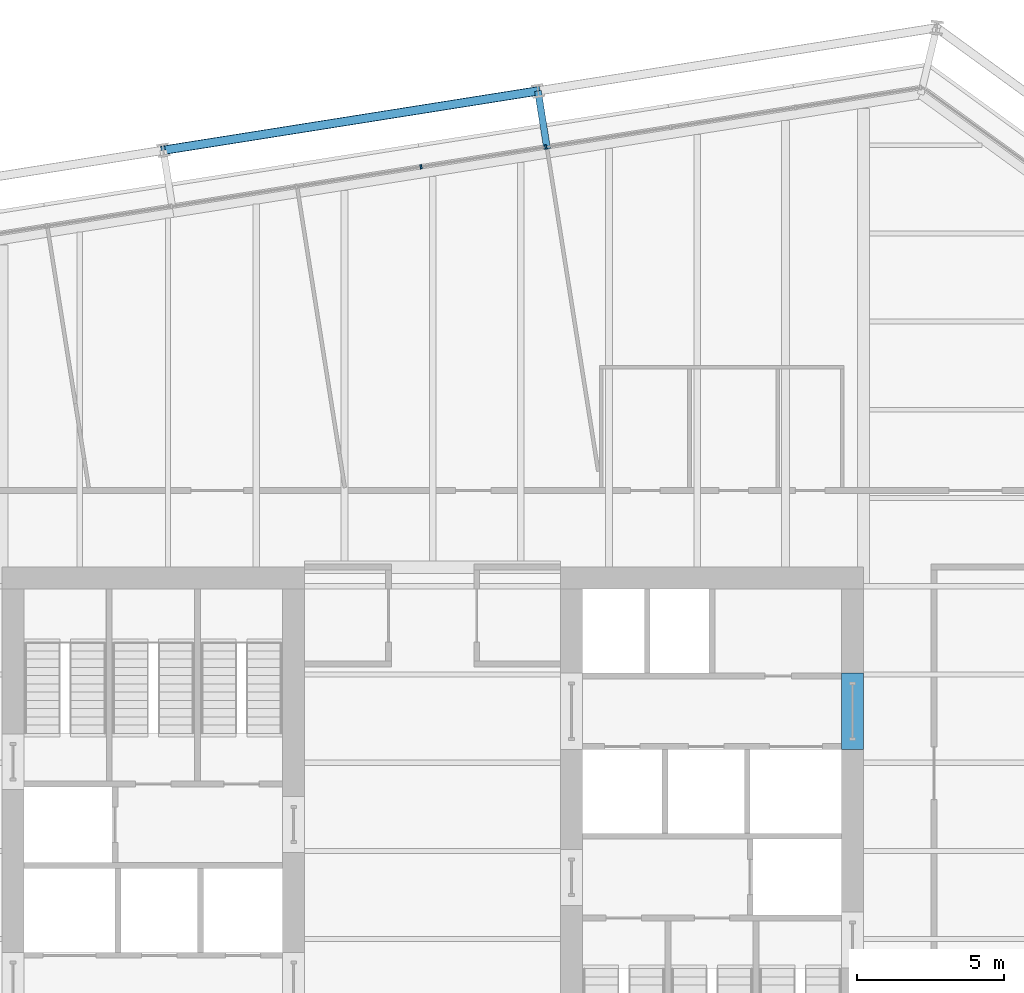
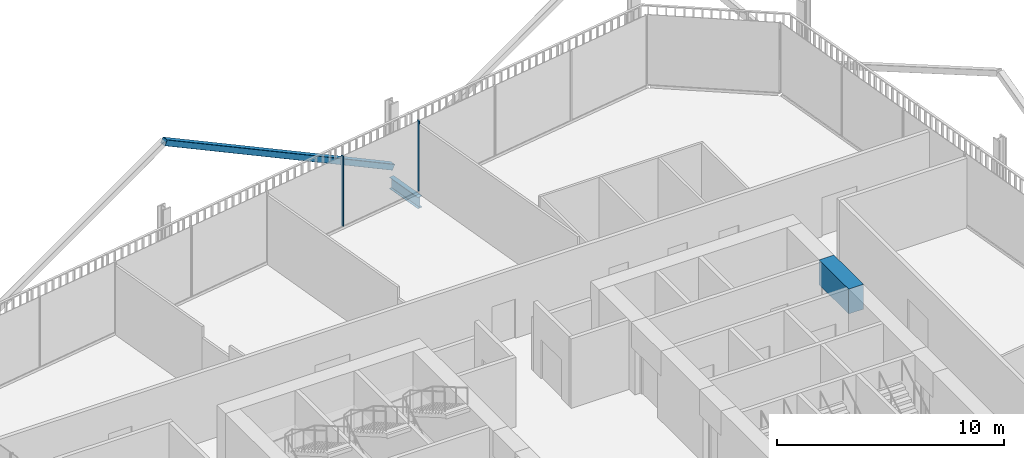
# One storey, part 13 of 22: 3 members, 2 beams, 1 element without a shape of its own.
"""IFC4 building model written with IfcOpenShell, lengths in metres."""

from ifc_helpers import new_model, si_unit, direction, frame, origin, origin_2d, place, context, subcontext, project, spatial, rectangle, hollow_rectangle, i_section, extrude, material, layer, layer_set, material_profile, profile_set, type_object, element, aggregate, save


model = new_model("IFC4")

# Units and contexts
model_context = context("Model", 3, precision=1e-05, world=origin(), true_north=direction((0.0, 1.0)))
body_context = subcontext(model_context, "Body", "Model", "MODEL_VIEW")
ifc_project = project(units=[si_unit("LENGTHUNIT", "METRE"), si_unit("AREAUNIT", "SQUARE_METRE"), si_unit("VOLUMEUNIT", "CUBIC_METRE"), si_unit("PLANEANGLEUNIT", "RADIAN"), si_unit("MASSUNIT", "GRAM", prefix="KILO")], contexts=[model_context])

# Site, building, storey
site_placement = place(None, origin())
site = spatial("IfcSite", under=ifc_project, at=site_placement, CompositionType="ELEMENT")
building_placement = place(site_placement, origin())
building = spatial("IfcBuilding", under=site, at=building_placement, Name="Millrace Tower", CompositionType="ELEMENT")
storey_placement = place(building_placement, frame((0.0, 0.0, 160.699951171875)))
storey = spatial("IfcBuildingStorey", under=building, at=storey_placement, Name="L36", CompositionType="ELEMENT", Elevation=160.699951171875)

# Curtain wall, members
ifc_material_1 = material(Name="Aluminium and glass", Category="aluminium")
ifc_layer = layer(ifc_material_1, 0.14990234375)
ifc_layer_set = layer_set([ifc_layer], Name="Aluminium and glass")
curtain_wall_type = type_object("IfcCurtainWallType", Name="CW-1 office vision curtain wall", PredefinedType="NOTDEFINED", material=ifc_layer_set)
curtain_wall_placement = place(storey_placement, origin())
curtain_wall = element("IfcCurtainWall", 1, at=curtain_wall_placement, inside=storey, type_object=curtain_wall_type, Name="Curtain wall C-F06 L36", PredefinedType="NOTDEFINED")
ifc_material_2 = material(Name="Aluminium", Category="aluminium")
ifc_material_profile_1 = material_profile(ifc_material_2, rectangle(XDim=0.06494140625, YDim=0.14990234375, at=origin_2d()))
ifc_profile_set_1 = profile_set([ifc_material_profile_1], Name="Aluminium")
member_type_1 = type_object("IfcMemberType", Name="CW-1 office vision curtain wall mullion", PredefinedType="MULLION", material=ifc_profile_set_1)
member_1_placement = place(storey_placement, frame((3.8505859375, 23.938720703125, 0.14013671875), z_axis=(0.0, 0.0, 1.0), x_axis=(-0.98768833929, -0.15643447328, 0.0)))
member_1 = element("IfcMember", 2, at=member_1_placement, type_object=member_type_1, Name="CW1 mullion C-F06.4", PredefinedType="MULLION", context=body_context, shape_type="SweptSolid", body=[
    extrude(rectangle(XDim=0.06494140625, YDim=0.14990234375, at=origin_2d()), origin(), (0.0, 0.0, 1.0), 3.760009765625),
])
member_2_placement = place(storey_placement, frame((-0.396484375, 23.26611328125, 0.14013671875), z_axis=(0.0, 0.0, 1.0), x_axis=(-0.98768833929, -0.15643447328, 0.0)))
member_2 = element("IfcMember", 3, at=member_2_placement, type_object=member_type_1, Name="CW1 mullion C-F06.5", PredefinedType="MULLION", context=body_context, shape_type="SweptSolid", body=[
    extrude(rectangle(XDim=0.06494140625, YDim=0.14990234375, at=origin_2d()), origin(), (0.0, 0.0, 1.0), 3.760009765625),
])
aggregate(curtain_wall, [member_1, member_2])

# Beam
ifc_material_3 = material(Name="Concrete C70", Category="concrete")
ifc_material_profile_2 = material_profile(ifc_material_3, rectangle(XDim=0.75, YDim=1.340087890625, at=origin_2d()))
ifc_profile_set_2 = profile_set([ifc_material_profile_2], Name="Concrete C70")
beam_type_1 = type_object("IfcBeamType", Name="Coupling beam 750 x 1340 Concrete C70, 2000 opening", PredefinedType="BEAM", material=ifc_profile_set_2)
beam_1_placement = place(storey_placement, frame((14.27490234375, 6.050048828125, 3.070068359375), z_axis=(0.0, -1.0, 0.0), x_axis=(1.0, 0.0, 0.0)))
element("IfcBeam", 4, at=beam_1_placement, inside=storey, type_object=beam_type_1, Name="Coupling beam E L36", PredefinedType="BEAM", context=body_context, shape_type="SweptSolid", body=[
    extrude(rectangle(XDim=0.75, YDim=1.340087890625, at=origin_2d()), origin(), (0.0, 0.0, 1.0), 2.60009765625),
])

# Member
ifc_material_4 = material(Name="Steel ASTM A500 Grade C", Category="steel")
ifc_material_profile_3 = material_profile(ifc_material_4, hollow_rectangle(XDim=0.3046875, YDim=0.3046875, WallThickness=0.0126953125, InnerFilletRadius=0.00634765625, OuterFilletRadius=0.01904296875, at=origin_2d()))
ifc_profile_set_3 = profile_set([ifc_material_profile_3], Name="Steel ASTM A500 Grade C")
member_type_2 = type_object("IfcMemberType", Name="Exoskeleton brace HSS12x12x1/2", PredefinedType="BRACE", material=ifc_profile_set_3)
member_3_placement = place(storey_placement, frame((3.58154296875, 25.844970703125, 0.400146484375), z_axis=(-0.868115902798, -0.137483289964, 0.476941426478), x_axis=(0.15642030113, -0.987690583834, 0.0)))
element("IfcMember", 5, at=member_3_placement, inside=storey, type_object=member_type_2, Name="BRC-C-L36-11", PredefinedType="BRACE", context=body_context, shape_type="SweptSolid", body=[
    extrude(hollow_rectangle(XDim=0.3046875, YDim=0.3046875, WallThickness=0.0126953125, InnerFilletRadius=0.00634765625, OuterFilletRadius=0.01904296875, at=origin_2d()), origin(), (0.0, 0.0, 1.0), 14.6767578125),
])

# Beam
ifc_material_5 = material(Name="Steel ASTM A992 Grade 50", Category="steel")
ifc_material_profile_4 = material_profile(ifc_material_5, i_section(OverallWidth=0.23046875, OverallDepth=0.6171875, WebThickness=0.01318359375, FlangeThickness=0.022216796875, FilletRadius=0.012939453125, at=origin_2d()))
ifc_profile_set_4 = profile_set([ifc_material_profile_4], Name="Steel ASTM A992 Grade 50")
beam_type_2 = type_object("IfcBeamType", Name="Link beam W24x94", PredefinedType="BEAM", material=ifc_profile_set_4)
beam_2_placement = place(storey_placement, frame((3.894287109375, 23.86962890625, -0.468505859375), z_axis=(-0.15637629034, 0.987697552806, 0.0), x_axis=(-0.987697552806, -0.15637629034, 0.0)))
element("IfcBeam", 6, at=beam_2_placement, inside=storey, type_object=beam_type_2, Name="LNK-C-L36-S1-07", PredefinedType="BEAM", context=body_context, shape_type="SweptSolid", body=[
    extrude(i_section(OverallWidth=0.23046875, OverallDepth=0.6171875, WebThickness=0.01318359375, FlangeThickness=0.022216796875, FilletRadius=0.012939453125, at=origin_2d()), origin(), (0.0, 0.0, 1.0), 2.0),
])

save(model, "model.ifc")
